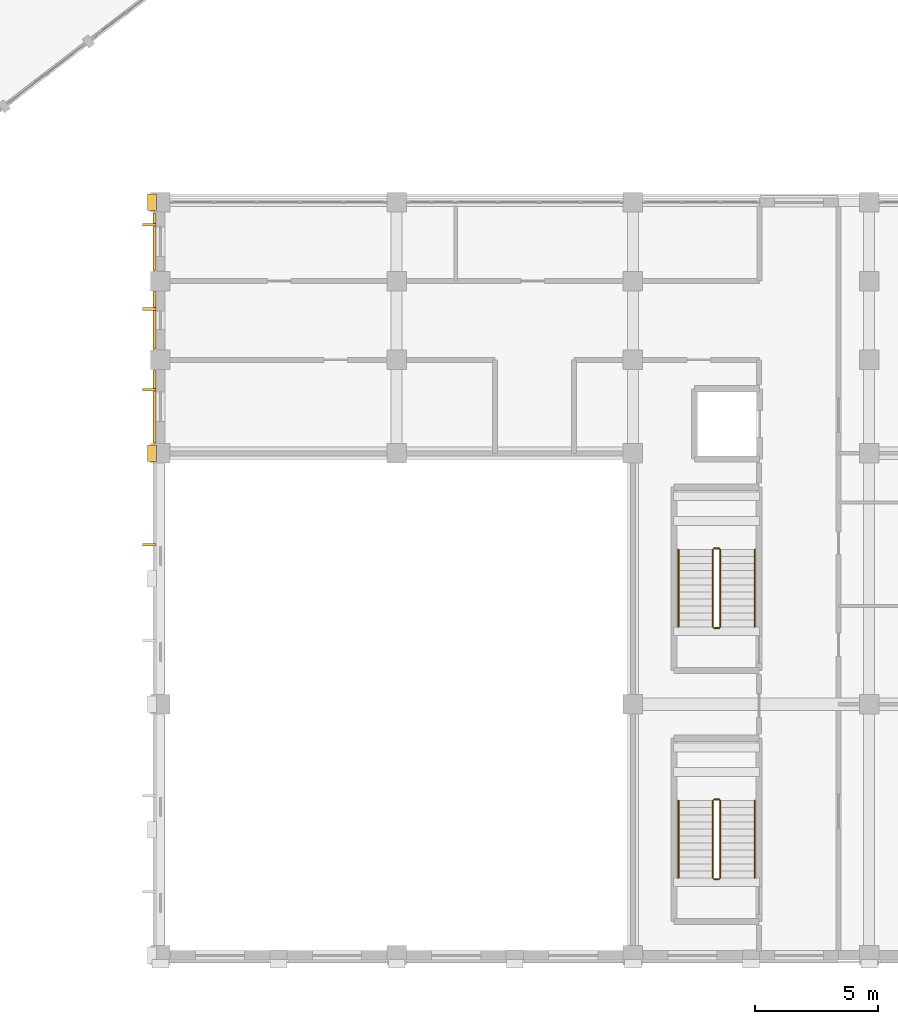
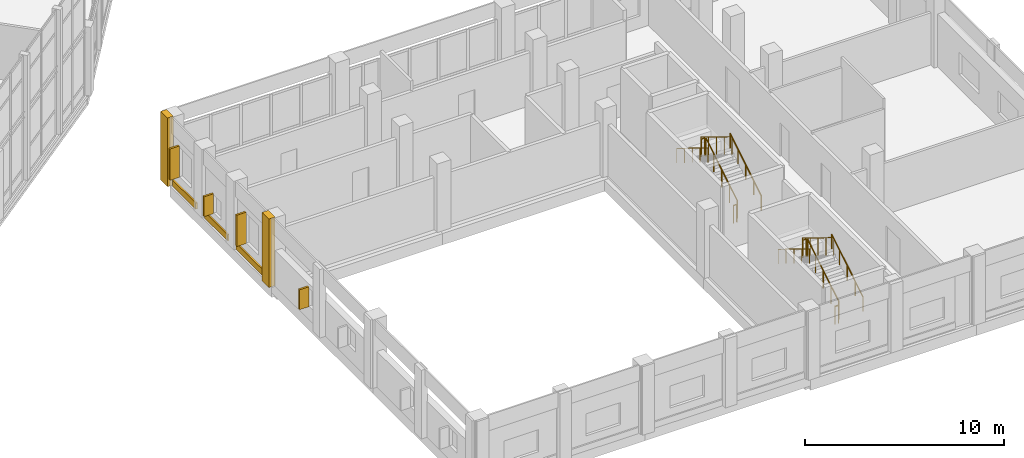
# One storey, part 167 of 170: 12 railings, 5 coverings, 4 shading devices.
"""IFC4 building model written with IfcOpenShell, lengths in metres."""

from ifc_helpers import new_model, si_unit, direction, frame, origin, origin_2d, place, context, subcontext, project, spatial, rectangle, circle, extrude, material, layer, layer_set, type_object, element, save


model = new_model("IFC4")

# Units and contexts
model_context = context("Model", 3, precision=1e-05, world=origin(), true_north=direction((0.0, 1.0)))
body_context = subcontext(model_context, "Body", "Model", "MODEL_VIEW")
ifc_project = project(units=[si_unit("LENGTHUNIT", "METRE"), si_unit("AREAUNIT", "SQUARE_METRE"), si_unit("VOLUMEUNIT", "CUBIC_METRE"), si_unit("PLANEANGLEUNIT", "RADIAN"), si_unit("MASSUNIT", "GRAM", prefix="KILO")], contexts=[model_context])

# Site, building, storey
site_placement = place(None, origin())
site = spatial("IfcSite", under=ifc_project, at=site_placement, CompositionType="ELEMENT")
building_placement = place(site_placement, origin())
building = spatial("IfcBuilding", under=site, at=building_placement, Name="Vondelvale Polytechnic", CompositionType="ELEMENT")
storey_placement = place(building_placement, frame((0.0, 0.0, 5.39990234375)))
storey = spatial("IfcBuildingStorey", under=building, at=storey_placement, Name="L01", CompositionType="ELEMENT", Elevation=5.39990234375)

# Coverings
ifc_material_1 = material(Name="Amsterdam School iron-spot clinker clay brickwork", Category="masonry")
ifc_layer_1 = layer(ifc_material_1, 0.090087890625)
ifc_layer_set_1 = layer_set([ifc_layer_1], Name="COV-BRICK-RELIEF")
covering_type = type_object("IfcCoveringType", Name="COV-BRICK-RELIEF", PredefinedType="CLADDING", material=ifc_layer_set_1)
covering_placement = place(storey_placement, frame((134.1689453125, 22.300048828125, 0.000244140625), z_axis=(0.0, 0.0, 1.0), x_axis=(0.0, 1.0, 0.0)))
element("IfcCovering", 1, at=covering_placement, inside=storey, type_object=covering_type, Name="L01 exterior corbelled masonry relief band", PredefinedType="CLADDING", context=body_context, shape_type="SweptSolid", body=[
    extrude(rectangle(XDim=2.93798828125, YDim=0.090087890625, at=origin_2d()), origin(), (0.0, 0.0, 1.0), 0.3798828125),
])
for number, where, z_axis, x_axis, name in (
    (2, (134.1689453125, 25.800048828125, 0.000244140625), (0.0, 0.0, 1.0), (0.0, 1.0, 0.0), "L01 exterior corbelled masonry relief band"),
    (3, (134.1689453125, 29.0, 0.000244140625), (0.0, 0.0, 1.0), (0.0, 1.0, 0.0), "L01 exterior corbelled masonry relief band"),
):
    element("IfcCovering", number, at=place(storey_placement, frame(where, z_axis=z_axis, x_axis=x_axis)), inside=storey, type_object=covering_type, Name=name, PredefinedType="CLADDING", context=body_context, shape_type="SweptSolid", body=[
        extrude(rectangle(XDim=2.337890625, YDim=0.090087890625, at=origin_2d()), origin(), (0.0, 0.0, 1.0), 0.3798828125),
    ])
for number, where, z_axis, x_axis, name in (
    (4, (134.06005859375, 20.39990234375, 0.0), (0.0, 0.0, 1.0), (1.0, 0.0, 0.0), "L01 Lecture wing giant-order pilaster W"),
    (5, (134.06005859375, 30.60009765625, 0.0), (0.0, 0.0, 1.0), (1.0, 0.0, 0.0), "L01 Lecture wing giant-order pilaster W"),
):
    element("IfcCovering", number, at=place(storey_placement, frame(where, z_axis=z_axis, x_axis=x_axis)), inside=storey, type_object=covering_type, Name=name, PredefinedType="CLADDING", context=body_context, shape_type="SweptSolid", body=[
        extrude(rectangle(XDim=0.360107421875, YDim=0.679931640625, at=origin_2d()), origin(), (0.0, 0.0, 1.0), 4.199951171875),
    ])

# Railings
ifc_material_2 = material(Name="Brushed architectural stainless and zinc-coated metal")
ifc_layer_2 = layer(ifc_material_2, 0.050048828125)
ifc_layer_set_2 = layer_set([ifc_layer_2], Name="RL-STAIR-GUARD")
railing_type_1 = type_object("IfcRailingType", Name="RL-STAIR-GUARD", PredefinedType="GUARDRAIL", material=ifc_layer_set_2)
railing_1_placement = place(storey_placement, frame((157.14990234375, 3.14990234375, 0.175048828125)))
element("IfcRailing", 6, at=railing_1_placement, inside=storey, type_object=railing_type_1, Name="L01 ST-06 stair guard 1", PredefinedType="GUARDRAIL", context=body_context, shape_type="SweptSolid", body=[
    extrude(circle(Radius=0.02392578125, at=origin_2d()), frame((0.0, 0.0, 1.076171875), z_axis=(0.0, 0.852166034122, 0.523271488128), x_axis=(-1.0, 0.0, 0.0)), (0.0, 0.0, 1.0), 3.678955078125),
    extrude(circle(Radius=0.02099609375, at=origin_2d()), origin(), (0.0, 0.0, 1.0), 1.052001953125),
    extrude(circle(Radius=0.02099609375, at=origin_2d()), frame((0.0, 0.78369140625, 0.481201171875)), (0.0, 0.0, 1.0), 1.052001953125),
    extrude(circle(Radius=0.02099609375, at=origin_2d()), frame((0.0, 1.5673828125, 0.96240234375)), (0.0, 0.0, 1.0), 1.052001953125),
    extrude(circle(Radius=0.02099609375, at=origin_2d()), frame((0.0, 2.351318359375, 1.44384765625)), (0.0, 0.0, 1.0), 1.052001953125),
    extrude(circle(Radius=0.02099609375, at=origin_2d()), frame((0.0, 3.135009765625, 1.925048828125)), (0.0, 0.0, 1.0), 1.052001953125),
])
railing_2_placement = place(storey_placement, frame((157.10009765625, 6.3349609375, 2.10009765625)))
element("IfcRailing", 7, at=railing_2_placement, inside=storey, type_object=railing_type_1, Name="L01 ST-06 stair guard 2", PredefinedType="GUARDRAIL", context=body_context, shape_type="SweptSolid", body=[
    extrude(circle(Radius=0.02392578125, at=origin_2d()), frame((0.0, 0.0, 1.076171875), z_axis=(-1.0, 0.0, 0.0), x_axis=(0.0, -1.0, 0.0)), (0.0, 0.0, 1.0), 0.2001953125),
    extrude(circle(Radius=0.02099609375, at=origin_2d()), origin(), (0.0, 0.0, 1.0), 1.052001953125),
    extrude(circle(Radius=0.02099609375, at=origin_2d()), frame((-0.2001953125, 0.0, 0.0)), (0.0, 0.0, 1.0), 1.052001953125),
])
railing_3_placement = place(storey_placement, frame((156.85009765625, 6.284912109375, 2.275146484375)))
element("IfcRailing", 8, at=railing_3_placement, inside=storey, type_object=railing_type_1, Name="L01 ST-06 stair guard 3", PredefinedType="GUARDRAIL", context=body_context, shape_type="SweptSolid", body=[
    extrude(circle(Radius=0.02392578125, at=origin_2d()), frame((0.0, 0.0, 1.076171875), z_axis=(0.0, -0.852166034122, 0.523271488128), x_axis=(1.0, 0.0, 0.0)), (0.0, 0.0, 1.0), 3.678955078125),
    extrude(circle(Radius=0.02099609375, at=origin_2d()), origin(), (0.0, 0.0, 1.0), 1.052001953125),
    extrude(circle(Radius=0.02099609375, at=origin_2d()), frame((0.0, -0.78369140625, 0.481201171875)), (0.0, 0.0, 1.0), 1.052001953125),
    extrude(circle(Radius=0.02099609375, at=origin_2d()), frame((0.0, -1.5673828125, 0.96240234375)), (0.0, 0.0, 1.0), 1.052001953125),
    extrude(circle(Radius=0.02099609375, at=origin_2d()), frame((0.0, -2.351318359375, 1.44384765625)), (0.0, 0.0, 1.0), 1.052001953125),
    extrude(circle(Radius=0.02099609375, at=origin_2d()), frame((0.0, -3.135009765625, 1.925048828125)), (0.0, 0.0, 1.0), 1.052001953125),
])
railing_4_placement = place(storey_placement, frame((157.10009765625, 3.10009765625, 0.0)))
element("IfcRailing", 9, at=railing_4_placement, inside=storey, type_object=railing_type_1, Name="L01 ST-06 stair guard 4", PredefinedType="GUARDRAIL", context=body_context, shape_type="SweptSolid", body=[
    extrude(circle(Radius=0.02392578125, at=origin_2d()), frame((0.0, 0.0, 1.076171875), z_axis=(-1.0, 0.0, 0.0), x_axis=(0.0, -1.0, 0.0)), (0.0, 0.0, 1.0), 0.2001953125),
    extrude(circle(Radius=0.02099609375, at=origin_2d()), origin(), (0.0, 0.0, 1.0), 1.052001953125),
    extrude(circle(Radius=0.02099609375, at=origin_2d()), frame((-0.2001953125, 0.0, 0.0)), (0.0, 0.0, 1.0), 1.052001953125),
])
railing_5_placement = place(storey_placement, frame((157.14990234375, 13.35009765625, 0.175048828125)))
element("IfcRailing", 10, at=railing_5_placement, inside=storey, type_object=railing_type_1, Name="L01 ST-07 stair guard 1", PredefinedType="GUARDRAIL", context=body_context, shape_type="SweptSolid", body=[
    extrude(circle(Radius=0.02392578125, at=origin_2d()), frame((0.0, 0.0, 1.076171875), z_axis=(0.0, 0.852166034122, 0.523271488128), x_axis=(-1.0, 0.0, 0.0)), (0.0, 0.0, 1.0), 3.678955078125),
    extrude(circle(Radius=0.02099609375, at=origin_2d()), origin(), (0.0, 0.0, 1.0), 1.052001953125),
    extrude(circle(Radius=0.02099609375, at=origin_2d()), frame((0.0, 0.78369140625, 0.481201171875)), (0.0, 0.0, 1.0), 1.052001953125),
    extrude(circle(Radius=0.02099609375, at=origin_2d()), frame((0.0, 1.5673828125, 0.96240234375)), (0.0, 0.0, 1.0), 1.052001953125),
    extrude(circle(Radius=0.02099609375, at=origin_2d()), frame((0.0, 2.351318359375, 1.44384765625)), (0.0, 0.0, 1.0), 1.052001953125),
    extrude(circle(Radius=0.02099609375, at=origin_2d()), frame((0.0, 3.135009765625, 1.925048828125)), (0.0, 0.0, 1.0), 1.052001953125),
])
railing_6_placement = place(storey_placement, frame((157.10009765625, 16.534912109375, 2.10009765625)))
element("IfcRailing", 11, at=railing_6_placement, inside=storey, type_object=railing_type_1, Name="L01 ST-07 stair guard 2", PredefinedType="GUARDRAIL", context=body_context, shape_type="SweptSolid", body=[
    extrude(circle(Radius=0.02392578125, at=origin_2d()), frame((0.0, 0.0, 1.076171875), z_axis=(-1.0, 0.0, 0.0), x_axis=(0.0, -1.0, 0.0)), (0.0, 0.0, 1.0), 0.2001953125),
    extrude(circle(Radius=0.02099609375, at=origin_2d()), origin(), (0.0, 0.0, 1.0), 1.052001953125),
    extrude(circle(Radius=0.02099609375, at=origin_2d()), frame((-0.2001953125, 0.0, 0.0)), (0.0, 0.0, 1.0), 1.052001953125),
])
railing_7_placement = place(storey_placement, frame((156.85009765625, 16.485107421875, 2.275146484375)))
element("IfcRailing", 12, at=railing_7_placement, inside=storey, type_object=railing_type_1, Name="L01 ST-07 stair guard 3", PredefinedType="GUARDRAIL", context=body_context, shape_type="SweptSolid", body=[
    extrude(circle(Radius=0.02392578125, at=origin_2d()), frame((0.0, 0.0, 1.076171875), z_axis=(0.0, -0.852166034122, 0.523271488128), x_axis=(1.0, 0.0, 0.0)), (0.0, 0.0, 1.0), 3.678955078125),
    extrude(circle(Radius=0.02099609375, at=origin_2d()), origin(), (0.0, 0.0, 1.0), 1.052001953125),
    extrude(circle(Radius=0.02099609375, at=origin_2d()), frame((0.0, -0.78369140625, 0.481201171875)), (0.0, 0.0, 1.0), 1.052001953125),
    extrude(circle(Radius=0.02099609375, at=origin_2d()), frame((0.0, -1.5673828125, 0.96240234375)), (0.0, 0.0, 1.0), 1.052001953125),
    extrude(circle(Radius=0.02099609375, at=origin_2d()), frame((0.0, -2.351318359375, 1.44384765625)), (0.0, 0.0, 1.0), 1.052001953125),
    extrude(circle(Radius=0.02099609375, at=origin_2d()), frame((0.0, -3.135009765625, 1.925048828125)), (0.0, 0.0, 1.0), 1.052001953125),
])
railing_8_placement = place(storey_placement, frame((157.10009765625, 13.300048828125, 0.0)))
element("IfcRailing", 13, at=railing_8_placement, inside=storey, type_object=railing_type_1, Name="L01 ST-07 stair guard 4", PredefinedType="GUARDRAIL", context=body_context, shape_type="SweptSolid", body=[
    extrude(circle(Radius=0.02392578125, at=origin_2d()), frame((0.0, 0.0, 1.076171875), z_axis=(-1.0, 0.0, 0.0), x_axis=(0.0, -1.0, 0.0)), (0.0, 0.0, 1.0), 0.2001953125),
    extrude(circle(Radius=0.02099609375, at=origin_2d()), origin(), (0.0, 0.0, 1.0), 1.052001953125),
    extrude(circle(Radius=0.02099609375, at=origin_2d()), frame((-0.2001953125, 0.0, 0.0)), (0.0, 0.0, 1.0), 1.052001953125),
])
ifc_layer_3 = layer(ifc_material_2, 0.048095703125)
ifc_layer_set_3 = layer_set([ifc_layer_3], Name="RL-STAIR-HANDRAIL")
railing_type_2 = type_object("IfcRailingType", Name="RL-STAIR-HANDRAIL", PredefinedType="HANDRAIL", material=ifc_layer_set_3)
railing_9_placement = place(storey_placement, frame((158.550048828125, 3.14990234375, 0.175048828125)))
element("IfcRailing", 14, at=railing_9_placement, inside=storey, type_object=railing_type_2, Name="L01 ST-06 stair handrail 1", PredefinedType="HANDRAIL", context=body_context, shape_type="SweptSolid", body=[
    extrude(circle(Radius=0.02392578125, at=origin_2d()), frame((0.0, 0.0, 0.8759765625), z_axis=(0.0, 0.852166034122, 0.523271488128), x_axis=(-1.0, 0.0, 0.0)), (0.0, 0.0, 1.0), 3.678955078125),
    extrude(circle(Radius=0.02099609375, at=origin_2d()), origin(), (0.0, 0.0, 1.0), 0.851806640625),
    extrude(circle(Radius=0.02099609375, at=origin_2d()), frame((0.0, 0.78369140625, 0.481201171875)), (0.0, 0.0, 1.0), 0.851806640625),
    extrude(circle(Radius=0.02099609375, at=origin_2d()), frame((0.0, 1.5673828125, 0.96240234375)), (0.0, 0.0, 1.0), 0.851806640625),
    extrude(circle(Radius=0.02099609375, at=origin_2d()), frame((0.0, 2.351318359375, 1.44384765625)), (0.0, 0.0, 1.0), 0.851806640625),
    extrude(circle(Radius=0.02099609375, at=origin_2d()), frame((0.0, 3.135009765625, 1.925048828125)), (0.0, 0.0, 1.0), 0.851806640625),
])
railing_10_placement = place(storey_placement, frame((155.449951171875, 6.284912109375, 2.275146484375)))
element("IfcRailing", 15, at=railing_10_placement, inside=storey, type_object=railing_type_2, Name="L01 ST-06 stair handrail 2", PredefinedType="HANDRAIL", context=body_context, shape_type="SweptSolid", body=[
    extrude(circle(Radius=0.02392578125, at=origin_2d()), frame((0.0, 0.0, 0.8759765625), z_axis=(0.0, -0.852166034122, 0.523271488128), x_axis=(1.0, 0.0, 0.0)), (0.0, 0.0, 1.0), 3.678955078125),
    extrude(circle(Radius=0.02099609375, at=origin_2d()), origin(), (0.0, 0.0, 1.0), 0.851806640625),
    extrude(circle(Radius=0.02099609375, at=origin_2d()), frame((0.0, -0.78369140625, 0.481201171875)), (0.0, 0.0, 1.0), 0.851806640625),
    extrude(circle(Radius=0.02099609375, at=origin_2d()), frame((0.0, -1.5673828125, 0.96240234375)), (0.0, 0.0, 1.0), 0.851806640625),
    extrude(circle(Radius=0.02099609375, at=origin_2d()), frame((0.0, -2.351318359375, 1.44384765625)), (0.0, 0.0, 1.0), 0.851806640625),
    extrude(circle(Radius=0.02099609375, at=origin_2d()), frame((0.0, -3.135009765625, 1.925048828125)), (0.0, 0.0, 1.0), 0.851806640625),
])
railing_11_placement = place(storey_placement, frame((158.550048828125, 13.35009765625, 0.175048828125)))
element("IfcRailing", 16, at=railing_11_placement, inside=storey, type_object=railing_type_2, Name="L01 ST-07 stair handrail 1", PredefinedType="HANDRAIL", context=body_context, shape_type="SweptSolid", body=[
    extrude(circle(Radius=0.02392578125, at=origin_2d()), frame((0.0, 0.0, 0.8759765625), z_axis=(0.0, 0.852166034122, 0.523271488128), x_axis=(-1.0, 0.0, 0.0)), (0.0, 0.0, 1.0), 3.678955078125),
    extrude(circle(Radius=0.02099609375, at=origin_2d()), origin(), (0.0, 0.0, 1.0), 0.851806640625),
    extrude(circle(Radius=0.02099609375, at=origin_2d()), frame((0.0, 0.78369140625, 0.481201171875)), (0.0, 0.0, 1.0), 0.851806640625),
    extrude(circle(Radius=0.02099609375, at=origin_2d()), frame((0.0, 1.5673828125, 0.96240234375)), (0.0, 0.0, 1.0), 0.851806640625),
    extrude(circle(Radius=0.02099609375, at=origin_2d()), frame((0.0, 2.351318359375, 1.44384765625)), (0.0, 0.0, 1.0), 0.851806640625),
    extrude(circle(Radius=0.02099609375, at=origin_2d()), frame((0.0, 3.135009765625, 1.925048828125)), (0.0, 0.0, 1.0), 0.851806640625),
])
railing_12_placement = place(storey_placement, frame((155.449951171875, 16.485107421875, 2.275146484375)))
element("IfcRailing", 17, at=railing_12_placement, inside=storey, type_object=railing_type_2, Name="L01 ST-07 stair handrail 2", PredefinedType="HANDRAIL", context=body_context, shape_type="SweptSolid", body=[
    extrude(circle(Radius=0.02392578125, at=origin_2d()), frame((0.0, 0.0, 0.8759765625), z_axis=(0.0, -0.852166034122, 0.523271488128), x_axis=(1.0, 0.0, 0.0)), (0.0, 0.0, 1.0), 3.678955078125),
    extrude(circle(Radius=0.02099609375, at=origin_2d()), origin(), (0.0, 0.0, 1.0), 0.851806640625),
    extrude(circle(Radius=0.02099609375, at=origin_2d()), frame((0.0, -0.78369140625, 0.481201171875)), (0.0, 0.0, 1.0), 0.851806640625),
    extrude(circle(Radius=0.02099609375, at=origin_2d()), frame((0.0, -1.5673828125, 0.96240234375)), (0.0, 0.0, 1.0), 0.851806640625),
    extrude(circle(Radius=0.02099609375, at=origin_2d()), frame((0.0, -2.351318359375, 1.44384765625)), (0.0, 0.0, 1.0), 0.851806640625),
    extrude(circle(Radius=0.02099609375, at=origin_2d()), frame((0.0, -3.135009765625, 1.925048828125)), (0.0, 0.0, 1.0), 0.851806640625),
])

# Shading devices
ifc_material_3 = material(Name="Kiln-fired architectural terracotta", Category="masonry")
shading_device_type = type_object("IfcShadingDeviceType", Name="SHD-TERRA-FIN-550", PredefinedType="JALOUSIE", material=ifc_material_3)
shading_device_1_placement = place(storey_placement, frame((133.949951171875, 16.69091796875, 0.7900390625), z_axis=(0.0, 0.0, 1.0), x_axis=(0.0, 1.0, 0.0)))
element("IfcShadingDevice", 18, at=shading_device_1_placement, inside=storey, type_object=shading_device_type, Name="L01 vertical terracotta solar fin", PredefinedType="JALOUSIE", context=body_context, shape_type="SweptSolid", body=[
    extrude(rectangle(XDim=0.110107421875, YDim=0.550048828125, at=origin_2d()), origin(), (0.0, 0.0, 1.0), 1.219970703125),
])
shading_device_2_placement = place(storey_placement, frame((133.949951171875, 22.989990234375, 0.840087890625), z_axis=(0.0, 0.0, 1.0), x_axis=(0.0, 1.0, 0.0)))
element("IfcShadingDevice", 19, at=shading_device_2_placement, inside=storey, type_object=shading_device_type, Name="L01 vertical terracotta solar fin", PredefinedType="JALOUSIE", context=body_context, shape_type="SweptSolid", body=[
    extrude(rectangle(XDim=0.110107421875, YDim=0.550048828125, at=origin_2d()), origin(), (0.0, 0.0, 1.0), 1.919921875),
])
shading_device_3_placement = place(storey_placement, frame((133.949951171875, 26.264892578125, 0.68994140625), z_axis=(0.0, 0.0, 1.0), x_axis=(0.0, 1.0, 0.0)))
element("IfcShadingDevice", 20, at=shading_device_3_placement, inside=storey, type_object=shading_device_type, Name="L01 vertical terracotta solar fin", PredefinedType="JALOUSIE", context=body_context, shape_type="SweptSolid", body=[
    extrude(rectangle(XDim=0.110107421875, YDim=0.550048828125, at=origin_2d()), origin(), (0.0, 0.0, 1.0), 1.219970703125),
])
shading_device_4_placement = place(storey_placement, frame((133.949951171875, 29.68994140625, 0.840087890625), z_axis=(0.0, 0.0, 1.0), x_axis=(0.0, 1.0, 0.0)))
element("IfcShadingDevice", 21, at=shading_device_4_placement, inside=storey, type_object=shading_device_type, Name="L01 vertical terracotta solar fin", PredefinedType="JALOUSIE", context=body_context, shape_type="SweptSolid", body=[
    extrude(rectangle(XDim=0.110107421875, YDim=0.550048828125, at=origin_2d()), origin(), (0.0, 0.0, 1.0), 1.919921875),
])

save(model, "model.ifc")
